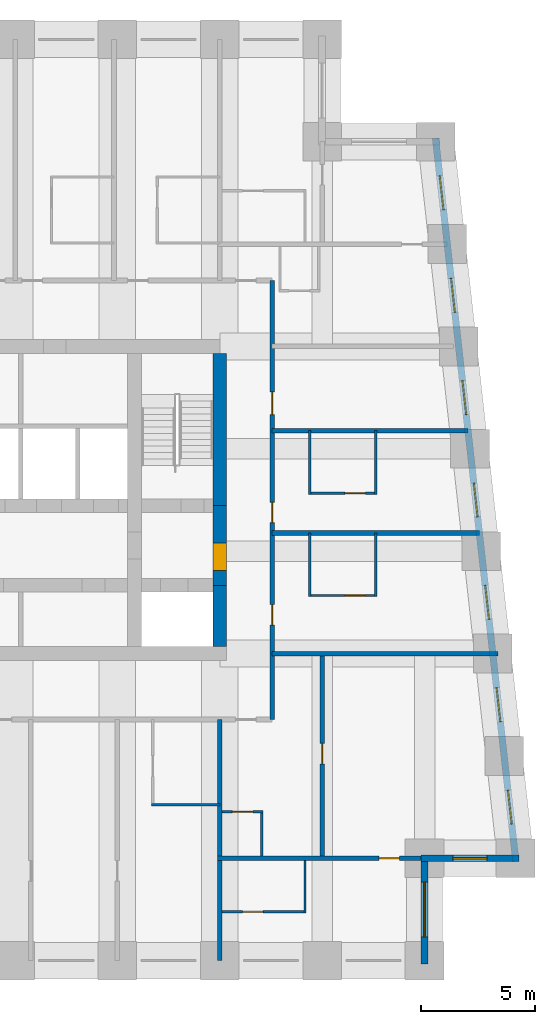
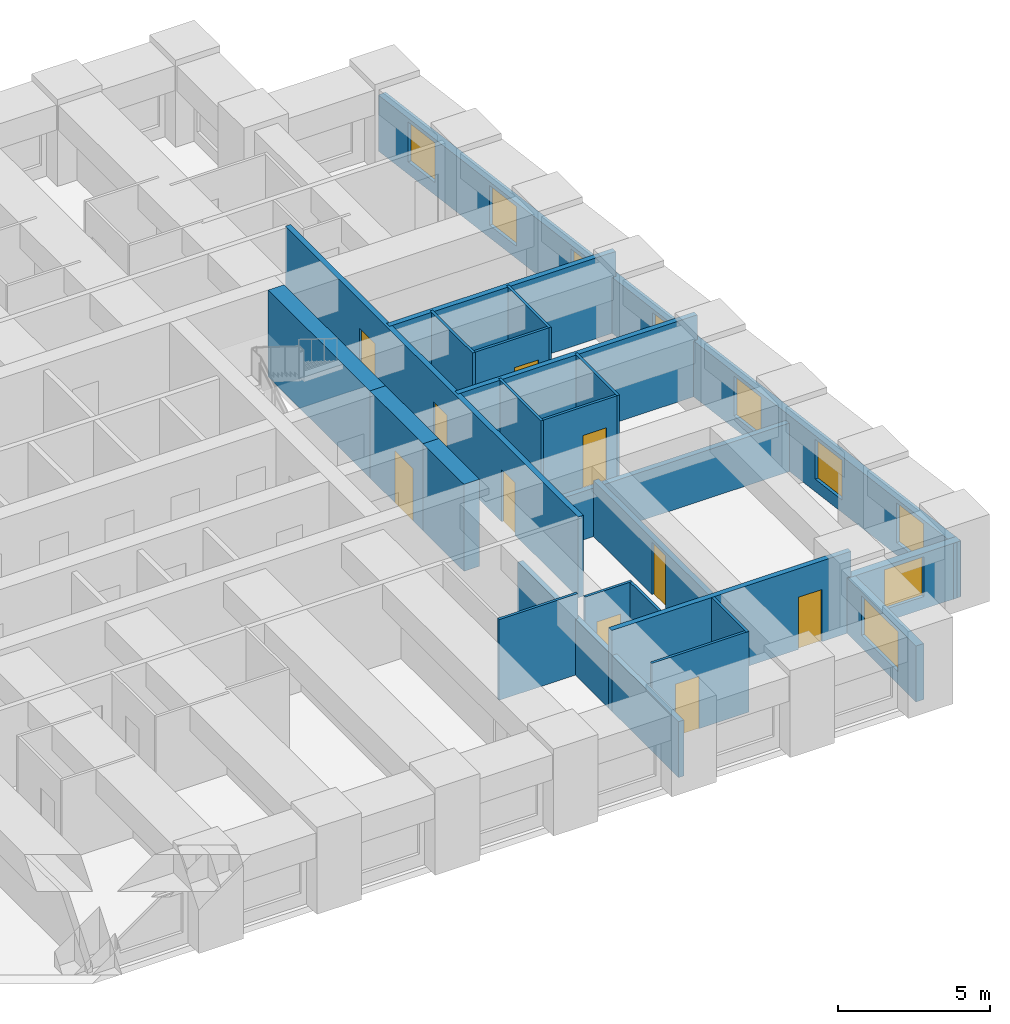
# One storey, part 5 of 8: 24 walls, 10 doors, 9 windows, 19 openings.
"""IFC4 building model written with IfcOpenShell, lengths in metres."""

from ifc_helpers import new_model, si_unit, direction, frame, frame_2d, origin, place, context, subcontext, project, spatial, rectangle, extrude, material, layer, layer_set, type_object, element, fill, save


model = new_model("IFC4")

# Units and contexts
model_context = context("Model", 3, precision=1e-05, world=origin(), true_north=direction((0.0, 1.0)))
body_context = subcontext(model_context, "Body", "Model", "MODEL_VIEW")
ifc_project = project(units=[si_unit("LENGTHUNIT", "METRE"), si_unit("AREAUNIT", "SQUARE_METRE"), si_unit("VOLUMEUNIT", "CUBIC_METRE"), si_unit("PLANEANGLEUNIT", "RADIAN"), si_unit("MASSUNIT", "GRAM", prefix="KILO")], contexts=[model_context])

# Site, building, storey
site_placement = place(None, origin())
site = spatial("IfcSite", under=ifc_project, at=site_placement, CompositionType="ELEMENT")
building_placement = place(site_placement, origin())
building = spatial("IfcBuilding", under=site, at=building_placement, Name="Kilele Tower Hotel", CompositionType="ELEMENT")
storey_placement = place(building_placement, frame((0.0, 0.0, 186.89990234375)))
storey = spatial("IfcBuildingStorey", under=building, at=storey_placement, Name="L48", CompositionType="ELEMENT", Elevation=186.89990234375)

# Walls
ifc_material_1 = material(Name="Moisture-resistant board")
ifc_layer_1 = layer(ifc_material_1, 0.10009765625)
ifc_layer_set_1 = layer_set([ifc_layer_1], Name="Moisture-resistant board")
wall_type_1 = type_object("IfcWallType", Name="Bathroom partition 100", PredefinedType="PLUMBINGWALL", material=ifc_layer_set_1)
wall_1_placement = place(storey_placement, frame((33.0, 6.85009765625, 0.0), z_axis=(0.0, 0.0, 1.0), x_axis=(1.0, 0.0, 0.0)))
element("IfcWall", 1, at=wall_1_placement, inside=storey, type_object=wall_type_1, Name="Bathroom partition 100 L48", PredefinedType="PLUMBINGWALL", context=body_context, shape_type="SweptSolid", body=[
    extrude(rectangle(XDim=3.0, YDim=0.10009765625, at=frame_2d((1.5, 0.0))), origin(), (0.0, 0.0, 1.0), 3.25),
])
for number, where, z_axis, x_axis, name in (
    (2, (39.949951171875, 16.0, 0.0), (0.0, 0.0, 1.0), (0.0, 1.0, 0.0), "Bathroom partition 100 L48"),
    (3, (42.85009765625, 16.0, 0.0), (0.0, 0.0, 1.0), (0.0, 1.0, 0.0), "Bathroom partition 100 L48"),
):
    element("IfcWall", number, at=place(storey_placement, frame(where, z_axis=z_axis, x_axis=x_axis)), inside=storey, type_object=wall_type_1, Name=name, PredefinedType="PLUMBINGWALL", context=body_context, shape_type="SweptSolid", body=[
        extrude(rectangle(XDim=2.800048828125, YDim=0.10009765625, at=frame_2d((1.39990234375, 0.0))), origin(), (0.0, 0.0, 1.0), 3.25),
    ])

# Wall, opening, door
wall_2_placement = place(storey_placement, frame((39.89990234375, 16.050048828125, 0.0), z_axis=(0.0, 0.0, 1.0), x_axis=(1.0, 0.0, 0.0)))
wall_2 = element("IfcWall", 4, at=wall_2_placement, inside=storey, type_object=wall_type_1, Name="Bathroom partition 100 L48", PredefinedType="PLUMBINGWALL", context=body_context, shape_type="SweptSolid", body=[
    extrude(rectangle(XDim=3.0, YDim=0.10009765625, at=frame_2d((1.5, 0.0))), origin(), (0.0, 0.0, 1.0), 3.25),
])
opening_1_placement = place(wall_2_placement, frame((2.5, 0.0, 0.0), z_axis=(0.0, 0.0, 1.0), x_axis=(-1.0, 0.0, 0.0)))
opening_1 = element("IfcOpeningElement", 5, at=opening_1_placement, cuts=wall_2, Name="Opening D2A", PredefinedType="OPENING", context=body_context, shape_type="SweptSolid", body=[
    extrude(rectangle(XDim=0.89990234375, YDim=2.10009765625, at=frame_2d((0.449951171875, 1.050048828125))), frame((0.0, 0.06005859375, 0.0), z_axis=(0.0, -1.0, 0.0), x_axis=(1.0, 0.0, 0.0)), (0.0, 0.0, 1.0), 0.1201171875),
])
ifc_material_2 = material(Name="Timber door leaf in hardwood frame", Category="wood")
door_type_1 = type_object("IfcDoorType", Name="Bathroom door 900", OperationType="SINGLE_SWING_LEFT", PredefinedType="DOOR", material=ifc_material_2)
door_1_placement = place(opening_1_placement, origin())
door_1 = element("IfcDoor", 6, at=door_1_placement, inside=storey, type_object=door_type_1, Name="Bathroom door 4806B", OperationType="SINGLE_SWING_LEFT", OverallHeight=2.10009765625, OverallWidth=0.89990234375, PredefinedType="DOOR", context=body_context, shape_type="SweptSolid", body=[
    extrude(rectangle(XDim=0.89990234375, YDim=2.10009765625, at=frame_2d((0.449951171875, 1.050048828125))), frame((0.0, 0.02490234375, 0.0), z_axis=(0.0, -1.0, 0.0), x_axis=(1.0, 0.0, 0.0)), (0.0, 0.0, 1.0), 0.050048828125),
])
fill(opening_1, door_1)

# Walls
for number, where, z_axis, x_axis, name in (
    (7, (39.949951171875, 20.5, 0.0), (0.0, 0.0, 1.0), (0.0, 1.0, 0.0), "Bathroom partition 100 L48"),
    (8, (42.85009765625, 20.5, 0.0), (0.0, 0.0, 1.0), (0.0, 1.0, 0.0), "Bathroom partition 100 L48"),
):
    element("IfcWall", number, at=place(storey_placement, frame(where, z_axis=z_axis, x_axis=x_axis)), inside=storey, type_object=wall_type_1, Name=name, PredefinedType="PLUMBINGWALL", context=body_context, shape_type="SweptSolid", body=[
        extrude(rectangle(XDim=2.800048828125, YDim=0.10009765625, at=frame_2d((1.39990234375, 0.0))), origin(), (0.0, 0.0, 1.0), 3.25),
    ])

# Wall, opening, door
wall_3_placement = place(storey_placement, frame((39.89990234375, 20.550048828125, 0.0), z_axis=(0.0, 0.0, 1.0), x_axis=(1.0, 0.0, 0.0)))
wall_3 = element("IfcWall", 9, at=wall_3_placement, inside=storey, type_object=wall_type_1, Name="Bathroom partition 100 L48", PredefinedType="PLUMBINGWALL", context=body_context, shape_type="SweptSolid", body=[
    extrude(rectangle(XDim=3.0, YDim=0.10009765625, at=frame_2d((1.5, 0.0))), origin(), (0.0, 0.0, 1.0), 3.25),
])
opening_2_placement = place(wall_3_placement, frame((2.5, 0.0, 0.0), z_axis=(0.0, 0.0, 1.0), x_axis=(-1.0, 0.0, 0.0)))
opening_2 = element("IfcOpeningElement", 10, at=opening_2_placement, cuts=wall_3, Name="Opening D2A", PredefinedType="OPENING", context=body_context, shape_type="SweptSolid", body=[
    extrude(rectangle(XDim=0.89990234375, YDim=2.10009765625, at=frame_2d((0.449951171875, 1.050048828125))), frame((0.0, 0.06005859375, 0.0), z_axis=(0.0, -1.0, 0.0), x_axis=(1.0, 0.0, 0.0)), (0.0, 0.0, 1.0), 0.1201171875),
])
door_2_placement = place(opening_2_placement, origin())
door_2 = element("IfcDoor", 11, at=door_2_placement, inside=storey, type_object=door_type_1, Name="Bathroom door 4807B", OperationType="SINGLE_SWING_LEFT", OverallHeight=2.10009765625, OverallWidth=0.89990234375, PredefinedType="DOOR", context=body_context, shape_type="SweptSolid", body=[
    extrude(rectangle(XDim=0.89990234375, YDim=2.10009765625, at=frame_2d((0.449951171875, 1.050048828125))), frame((0.0, 0.02490234375, 0.0), z_axis=(0.0, -1.0, 0.0), x_axis=(1.0, 0.0, 0.0)), (0.0, 0.0, 1.0), 0.050048828125),
])
fill(opening_2, door_2)

# Wall
wall_4_placement = place(storey_placement, frame((37.85009765625, 4.60009765625, 0.0), z_axis=(0.0, 0.0, 1.0), x_axis=(0.0, 1.0, 0.0)))
element("IfcWall", 12, at=wall_4_placement, inside=storey, type_object=wall_type_1, Name="Bathroom partition 100 L48", PredefinedType="PLUMBINGWALL", context=body_context, shape_type="SweptSolid", body=[
    extrude(rectangle(XDim=2.0, YDim=0.10009765625, at=frame_2d((1.0, 0.0))), origin(), (0.0, 0.0, 1.0), 3.25),
])

# Wall, opening, door
wall_5_placement = place(storey_placement, frame((36.10009765625, 6.550048828125, 0.0), z_axis=(0.0, 0.0, 1.0), x_axis=(1.0, 0.0, 0.0)))
wall_5 = element("IfcWall", 13, at=wall_5_placement, inside=storey, type_object=wall_type_1, Name="Bathroom partition 100 L48", PredefinedType="PLUMBINGWALL", context=body_context, shape_type="SweptSolid", body=[
    extrude(rectangle(XDim=1.7998046875, YDim=0.10009765625, at=frame_2d((0.89990234375, 0.0))), origin(), (0.0, 0.0, 1.0), 3.25),
])
opening_3_placement = place(wall_5_placement, frame((0.449951171875, 0.0, 0.0)))
opening_3 = element("IfcOpeningElement", 14, at=opening_3_placement, cuts=wall_5, Name="Opening D2A", PredefinedType="OPENING", context=body_context, shape_type="SweptSolid", body=[
    extrude(rectangle(XDim=0.89990234375, YDim=2.10009765625, at=frame_2d((0.449951171875, 1.050048828125))), frame((0.0, 0.06005859375, 0.0), z_axis=(0.0, -1.0, 0.0), x_axis=(1.0, 0.0, 0.0)), (0.0, 0.0, 1.0), 0.1201171875),
])
door_3_placement = place(opening_3_placement, origin())
door_3 = element("IfcDoor", 15, at=door_3_placement, inside=storey, type_object=door_type_1, Name="Bathroom door 4819P", OperationType="SINGLE_SWING_LEFT", OverallHeight=2.10009765625, OverallWidth=0.89990234375, PredefinedType="DOOR", context=body_context, shape_type="SweptSolid", body=[
    extrude(rectangle(XDim=0.89990234375, YDim=2.10009765625, at=frame_2d((0.449951171875, 1.050048828125))), frame((0.0, 0.02490234375, 0.0), z_axis=(0.0, -1.0, 0.0), x_axis=(1.0, 0.0, 0.0)), (0.0, 0.0, 1.0), 0.050048828125),
])
fill(opening_3, door_3)

# Wall
wall_6_placement = place(storey_placement, frame((39.75, 4.39990234375, 0.0), z_axis=(0.0, 0.0, 1.0), x_axis=(0.0, -1.0, 0.0)))
element("IfcWall", 16, at=wall_6_placement, inside=storey, type_object=wall_type_1, Name="Bathroom partition 100 L48", PredefinedType="PLUMBINGWALL", context=body_context, shape_type="SweptSolid", body=[
    extrude(rectangle(XDim=2.2998046875, YDim=0.10009765625, at=frame_2d((1.14990234375, 0.0))), origin(), (0.0, 0.0, 1.0), 3.25),
])

# Wall, opening, door
wall_7_placement = place(storey_placement, frame((36.10009765625, 2.14990234375, 0.0), z_axis=(0.0, 0.0, 1.0), x_axis=(1.0, 0.0, 0.0)))
wall_7 = element("IfcWall", 17, at=wall_7_placement, inside=storey, type_object=wall_type_1, Name="Bathroom partition 100 L48", PredefinedType="PLUMBINGWALL", context=body_context, shape_type="SweptSolid", body=[
    extrude(rectangle(XDim=3.699951171875, YDim=0.10009765625, at=frame_2d((1.85009765625, 0.0))), origin(), (0.0, 0.0, 1.0), 3.25),
])
opening_4_placement = place(wall_7_placement, frame((1.7998046875, 0.0, 0.0), z_axis=(0.0, 0.0, 1.0), x_axis=(-1.0, 0.0, 0.0)))
opening_4 = element("IfcOpeningElement", 18, at=opening_4_placement, cuts=wall_7, Name="Opening D2A", PredefinedType="OPENING", context=body_context, shape_type="SweptSolid", body=[
    extrude(rectangle(XDim=0.89990234375, YDim=2.10009765625, at=frame_2d((0.449951171875, 1.050048828125))), frame((0.0, 0.06005859375, 0.0), z_axis=(0.0, -1.0, 0.0), x_axis=(1.0, 0.0, 0.0)), (0.0, 0.0, 1.0), 0.1201171875),
])
door_4_placement = place(opening_4_placement, origin())
door_4 = element("IfcDoor", 19, at=door_4_placement, inside=storey, type_object=door_type_1, Name="Bathroom door 4821B", OperationType="SINGLE_SWING_RIGHT", OverallHeight=2.10009765625, OverallWidth=0.89990234375, PredefinedType="DOOR", context=body_context, shape_type="SweptSolid", body=[
    extrude(rectangle(XDim=0.89990234375, YDim=2.10009765625, at=frame_2d((0.449951171875, 1.050048828125))), frame((0.0, 0.02490234375, 0.0), z_axis=(0.0, -1.0, 0.0), x_axis=(1.0, 0.0, 0.0)), (0.0, 0.0, 1.0), 0.050048828125),
])
fill(opening_4, door_4)

# Wall
ifc_material_3 = material(Name="Concrete C70/85", Category="concrete")
ifc_layer_2 = layer(ifc_material_3, 0.60009765625)
ifc_layer_set_2 = layer_set([ifc_layer_2], Name="Concrete C70/85")
wall_type_2 = type_object("IfcWallType", Name="Core wall 600 C70/85", PredefinedType="SHEAR", material=ifc_layer_set_2)
wall_8_placement = place(storey_placement, frame((36.0, 13.800048828125, 0.0), z_axis=(0.0, 0.0, 1.0), x_axis=(0.0, 1.0, 0.0)))
element("IfcWall", 20, at=wall_8_placement, inside=storey, type_object=wall_type_2, Name="Core wall E1 L48", PredefinedType="SHEAR", context=body_context, shape_type="SweptSolid", body=[
    extrude(rectangle(XDim=2.699951171875, YDim=0.60009765625, at=frame_2d((1.35009765625, 0.0))), origin(), (0.0, 0.0, 1.0), 3.5),
])

# Wall, opening, door
wall_9_placement = place(storey_placement, frame((36.0, 16.5, 0.0), z_axis=(0.0, 0.0, 1.0), x_axis=(0.0, 1.0, 0.0)))
wall_9 = element("IfcWall", 21, at=wall_9_placement, inside=storey, type_object=wall_type_2, Name="Core wall E2 L48", PredefinedType="SHEAR", context=body_context, shape_type="SweptSolid", body=[
    extrude(rectangle(XDim=3.5, YDim=0.60009765625, at=frame_2d((1.75, 0.0))), origin(), (0.0, 0.0, 1.0), 3.5),
])
opening_5_placement = place(wall_9_placement, frame((0.64990234375, 0.0, 0.0)))
opening_5 = element("IfcOpeningElement", 22, at=opening_5_placement, cuts=wall_9, Name="Opening D4", PredefinedType="OPENING", context=body_context, shape_type="SweptSolid", body=[
    extrude(rectangle(XDim=1.199951171875, YDim=2.10009765625, at=frame_2d((0.60009765625, 1.050048828125))), frame((0.0, 0.31005859375, 0.0), z_axis=(0.0, -1.0, 0.0), x_axis=(1.0, 0.0, 0.0)), (0.0, 0.0, 1.0), 0.6201171875),
])
ifc_material_4 = material(Name="Timber door leaf in hardwood frame", Category="wood")
door_type_2 = type_object("IfcDoorType", Name="Firefighting lobby door 1200", OperationType="SINGLE_SWING_LEFT", PredefinedType="DOOR", material=ifc_material_4)
door_5_placement = place(opening_5_placement, origin())
door_5 = element("IfcDoor", 23, at=door_5_placement, inside=storey, type_object=door_type_2, Name="Lobby door L48", OperationType="SINGLE_SWING_LEFT", OverallHeight=2.10009765625, OverallWidth=1.199951171875, PredefinedType="DOOR", context=body_context, shape_type="SweptSolid", body=[
    extrude(rectangle(XDim=1.199951171875, YDim=2.10009765625, at=frame_2d((0.60009765625, 1.050048828125))), frame((0.0, 0.2998046875, 0.0), z_axis=(0.0, -1.0, 0.0), x_axis=(1.0, 0.0, 0.0)), (0.0, 0.0, 1.0), 0.599609375),
])
fill(opening_5, door_5)

# Wall
wall_10_placement = place(storey_placement, frame((36.0, 20.0, 0.0), z_axis=(0.0, 0.0, 1.0), x_axis=(0.0, 1.0, 0.0)))
element("IfcWall", 24, at=wall_10_placement, inside=storey, type_object=wall_type_2, Name="Core wall E3 L48", PredefinedType="SHEAR", context=body_context, shape_type="SweptSolid", body=[
    extrude(rectangle(XDim=6.699951171875, YDim=0.60009765625, at=frame_2d((3.35009765625, 0.0))), origin(), (0.0, 0.0, 1.0), 3.5),
])

# Wall, openings, doors
ifc_material_5 = material(Name="Blockwork, plastered both sides", Category="masonry")
ifc_layer_3 = layer(ifc_material_5, 0.199951171875)
ifc_layer_set_3 = layer_set([ifc_layer_3], Name="Blockwork, plastered both sides")
wall_type_3 = type_object("IfcWallType", Name="Corridor wall 200", PredefinedType="PARTITIONING", material=ifc_layer_set_3)
wall_11_placement = place(storey_placement, frame((38.300048828125, 10.60009765625, 0.0), z_axis=(0.0, 0.0, 1.0), x_axis=(0.0, 1.0, 0.0)))
wall_11 = element("IfcWall", 25, at=wall_11_placement, inside=storey, type_object=wall_type_3, Name="Corridor wall 200 L48", PredefinedType="PARTITIONING", context=body_context, shape_type="SweptSolid", body=[
    extrude(rectangle(XDim=19.2998046875, YDim=0.199951171875, at=frame_2d((9.64990234375, 0.0))), origin(), (0.0, 0.0, 1.0), 3.25),
])
opening_6_placement = place(wall_11_placement, frame((5.0498046875, 0.0, 0.0), z_axis=(0.0, 0.0, 1.0), x_axis=(-1.0, 0.0, 0.0)))
opening_6 = element("IfcOpeningElement", 26, at=opening_6_placement, cuts=wall_11, Name="Opening D1", PredefinedType="OPENING", context=body_context, shape_type="SweptSolid", body=[
    extrude(rectangle(XDim=0.89990234375, YDim=2.10009765625, at=frame_2d((0.449951171875, 1.050048828125))), frame((0.0, 0.10986328125, 0.0), z_axis=(0.0, -1.0, 0.0), x_axis=(1.0, 0.0, 0.0)), (0.0, 0.0, 1.0), 0.219970703125),
])
opening_7_placement = place(wall_11_placement, frame((9.5498046875, 0.0, 0.0), z_axis=(0.0, 0.0, 1.0), x_axis=(-1.0, 0.0, 0.0)))
opening_7 = element("IfcOpeningElement", 27, at=opening_7_placement, cuts=wall_11, Name="Opening D1", PredefinedType="OPENING", context=body_context, shape_type="SweptSolid", body=[
    extrude(rectangle(XDim=0.89990234375, YDim=2.10009765625, at=frame_2d((0.449951171875, 1.050048828125))), frame((0.0, 0.10986328125, 0.0), z_axis=(0.0, -1.0, 0.0), x_axis=(1.0, 0.0, 0.0)), (0.0, 0.0, 1.0), 0.219970703125),
])
opening_8_placement = place(wall_11_placement, frame((14.39990234375, 0.0, 0.0), z_axis=(0.0, 0.0, 1.0), x_axis=(-1.0, 0.0, 0.0)))
opening_8 = element("IfcOpeningElement", 28, at=opening_8_placement, cuts=wall_11, Name="Opening D8", PredefinedType="OPENING", context=body_context, shape_type="SweptSolid", body=[
    extrude(rectangle(XDim=1.0, YDim=2.10009765625, at=frame_2d((0.5, 1.050048828125))), frame((0.0, 0.10986328125, 0.0), z_axis=(0.0, -1.0, 0.0), x_axis=(1.0, 0.0, 0.0)), (0.0, 0.0, 1.0), 0.219970703125),
])
ifc_material_6 = material(Name="Timber door leaf in hardwood frame", Category="wood")
door_type_3 = type_object("IfcDoorType", Name="Door 1000", OperationType="SINGLE_SWING_LEFT", PredefinedType="DOOR", material=ifc_material_6)
door_6_placement = place(opening_8_placement, origin())
door_6 = element("IfcDoor", 29, at=door_6_placement, inside=storey, type_object=door_type_3, Name="Room entrance 4808", OperationType="SINGLE_SWING_RIGHT", OverallHeight=2.10009765625, OverallWidth=1.0, PredefinedType="DOOR", context=body_context, shape_type="SweptSolid", body=[
    extrude(rectangle(XDim=1.0, YDim=2.10009765625, at=frame_2d((0.5, 1.050048828125))), frame((0.0, 0.02490234375, 0.0), z_axis=(0.0, -1.0, 0.0), x_axis=(1.0, 0.0, 0.0)), (0.0, 0.0, 1.0), 0.050048828125),
])
fill(opening_8, door_6)
ifc_material_7 = material(Name="Timber door leaf in hardwood frame", Category="wood")
door_type_4 = type_object("IfcDoorType", Name="Guest room entrance door 900", OperationType="SINGLE_SWING_LEFT", PredefinedType="DOOR", material=ifc_material_7)
door_7_placement = place(opening_6_placement, origin())
door_7 = element("IfcDoor", 30, at=door_7_placement, inside=storey, type_object=door_type_4, Name="Room entrance 4806", OperationType="SINGLE_SWING_RIGHT", OverallHeight=2.10009765625, OverallWidth=0.89990234375, PredefinedType="DOOR", context=body_context, shape_type="SweptSolid", body=[
    extrude(rectangle(XDim=0.89990234375, YDim=2.10009765625, at=frame_2d((0.449951171875, 1.050048828125))), frame((0.0, 0.02490234375, 0.0), z_axis=(0.0, -1.0, 0.0), x_axis=(1.0, 0.0, 0.0)), (0.0, 0.0, 1.0), 0.050048828125),
])
fill(opening_6, door_7)
door_8_placement = place(opening_7_placement, origin())
door_8 = element("IfcDoor", 31, at=door_8_placement, inside=storey, type_object=door_type_4, Name="Room entrance 4807", OperationType="SINGLE_SWING_RIGHT", OverallHeight=2.10009765625, OverallWidth=0.89990234375, PredefinedType="DOOR", context=body_context, shape_type="SweptSolid", body=[
    extrude(rectangle(XDim=0.89990234375, YDim=2.10009765625, at=frame_2d((0.449951171875, 1.050048828125))), frame((0.0, 0.02490234375, 0.0), z_axis=(0.0, -1.0, 0.0), x_axis=(1.0, 0.0, 0.0)), (0.0, 0.0, 1.0), 0.050048828125),
])
fill(opening_7, door_8)

# Wall, opening, door
ifc_material_8 = material(Name="Blockwork, plastered both sides", Category="masonry")
ifc_layer_4 = layer(ifc_material_8, 0.199951171875)
ifc_layer_set_4 = layer_set([ifc_layer_4], Name="Blockwork, plastered both sides")
wall_type_4 = type_object("IfcWallType", Name="Partition wall 200", PredefinedType="PARTITIONING", material=ifc_layer_set_4)
wall_12_placement = place(storey_placement, frame((40.5, 4.60009765625, 0.0), z_axis=(0.0, 0.0, 1.0), x_axis=(0.0, 1.0, 0.0)))
wall_12 = element("IfcWall", 32, at=wall_12_placement, inside=storey, type_object=wall_type_4, Name="Partition wall 200 L48", PredefinedType="PARTITIONING", context=body_context, shape_type="SweptSolid", body=[
    extrude(rectangle(XDim=8.7998046875, YDim=0.199951171875, at=frame_2d((4.39990234375, 0.0))), origin(), (0.0, 0.0, 1.0), 2.25),
])
opening_9_placement = place(wall_12_placement, frame((4.050048828125, 0.0, 0.0)))
opening_9 = element("IfcOpeningElement", 33, at=opening_9_placement, cuts=wall_12, Name="Opening D3", PredefinedType="OPENING", context=body_context, shape_type="SweptSolid", body=[
    extrude(rectangle(XDim=0.89990234375, YDim=2.10009765625, at=frame_2d((0.449951171875, 1.050048828125))), frame((0.0, 0.10986328125, 0.0), z_axis=(0.0, -1.0, 0.0), x_axis=(1.0, 0.0, 0.0)), (0.0, 0.0, 1.0), 0.219970703125),
])
ifc_material_9 = material(Name="Timber door leaf in hardwood frame", Category="wood")
door_type_5 = type_object("IfcDoorType", Name="Suite internal door 900", OperationType="SINGLE_SWING_LEFT", PredefinedType="DOOR", material=ifc_material_9)
door_9_placement = place(opening_9_placement, origin())
door_9 = element("IfcDoor", 34, at=door_9_placement, inside=storey, type_object=door_type_5, Name="Suite door 4820", OperationType="SINGLE_SWING_RIGHT", OverallHeight=2.10009765625, OverallWidth=0.89990234375, PredefinedType="DOOR", context=body_context, shape_type="SweptSolid", body=[
    extrude(rectangle(XDim=0.89990234375, YDim=2.10009765625, at=frame_2d((0.449951171875, 1.050048828125))), frame((0.0, 0.02490234375, 0.0), z_axis=(0.0, -1.0, 0.0), x_axis=(1.0, 0.0, 0.0)), (0.0, 0.0, 1.0), 0.050048828125),
])
fill(opening_9, door_9)

# Walls
ifc_material_10 = material(Name="Blockwork, plastered both sides", Category="masonry")
ifc_layer_5 = layer(ifc_material_10, 0.199951171875)
ifc_layer_set_5 = layer_set([ifc_layer_5], Name="Blockwork, plastered both sides")
wall_type_5 = type_object("IfcWallType", Name="Party wall 200", PredefinedType="PARTITIONING", material=ifc_layer_set_5)
wall_13_placement = place(storey_placement, frame((38.300048828125, 18.800048828125, 0.0), z_axis=(0.0, 0.0, 1.0), x_axis=(1.0, 0.0, 0.0)))
element("IfcWall", 35, at=wall_13_placement, inside=storey, type_object=wall_type_5, Name="Party wall 200 L48", PredefinedType="PARTITIONING", context=body_context, shape_type="SweptSolid", body=[
    extrude(rectangle(XDim=9.110107421875, YDim=0.199951171875, at=frame_2d((4.55517578125, 0.0))), origin(), (0.0, 0.0, 1.0), 3.25),
])
wall_14_placement = place(storey_placement, frame((38.300048828125, 23.300048828125, 0.0), z_axis=(0.0, 0.0, 1.0), x_axis=(1.0, 0.0, 0.0)))
element("IfcWall", 36, at=wall_14_placement, inside=storey, type_object=wall_type_5, Name="Party wall 200 L48", PredefinedType="PARTITIONING", context=body_context, shape_type="SweptSolid", body=[
    extrude(rectangle(XDim=8.610107421875, YDim=0.199951171875, at=frame_2d((4.30517578125, 0.0))), origin(), (0.0, 0.0, 1.0), 3.25),
])
wall_15_placement = place(storey_placement, frame((38.300048828125, 13.5, 0.0), z_axis=(0.0, 0.0, 1.0), x_axis=(1.0, 0.0, 0.0)))
element("IfcWall", 37, at=wall_15_placement, inside=storey, type_object=wall_type_5, Name="Party wall 200 L48", PredefinedType="PARTITIONING", context=body_context, shape_type="SweptSolid", body=[
    extrude(rectangle(XDim=9.921142578125, YDim=0.199951171875, at=frame_2d((4.96044921875, 0.0))), origin(), (0.0, 0.0, 1.0), 1.9501953125),
])
wall_16_placement = place(storey_placement, frame((36.0, 10.60009765625, 0.0), z_axis=(0.0, 0.0, 1.0), x_axis=(0.0, -1.0, 0.0)))
element("IfcWall", 38, at=wall_16_placement, inside=storey, type_object=wall_type_5, Name="Party wall 200 L48", PredefinedType="PARTITIONING", context=body_context, shape_type="SweptSolid", body=[
    extrude(rectangle(XDim=10.60009765625, YDim=0.199951171875, at=frame_2d((5.300048828125, 0.0))), origin(), (0.0, 0.0, 1.0), 2.25),
])

# Wall, opening, door
wall_17_placement = place(storey_placement, frame((35.89990234375, 4.5, 0.0), z_axis=(0.0, 0.0, 1.0), x_axis=(1.0, 0.0, 0.0)))
wall_17 = element("IfcWall", 39, at=wall_17_placement, inside=storey, type_object=wall_type_5, Name="Party wall 200 L48", PredefinedType="PARTITIONING", context=body_context, shape_type="SweptSolid", body=[
    extrude(rectangle(XDim=9.10009765625, YDim=0.199951171875, at=frame_2d((4.550048828125, 0.0))), origin(), (0.0, 0.0, 1.0), 3.25),
])
opening_10_placement = place(wall_17_placement, frame((7.10009765625, 0.0, 0.0)))
opening_10 = element("IfcOpeningElement", 40, at=opening_10_placement, cuts=wall_17, Name="Opening D3", PredefinedType="OPENING", context=body_context, shape_type="SweptSolid", body=[
    extrude(rectangle(XDim=0.89990234375, YDim=2.10009765625, at=frame_2d((0.449951171875, 1.050048828125))), frame((0.0, 0.10986328125, 0.0), z_axis=(0.0, -1.0, 0.0), x_axis=(1.0, 0.0, 0.0)), (0.0, 0.0, 1.0), 0.219970703125),
])
door_10_placement = place(opening_10_placement, origin())
door_10 = element("IfcDoor", 41, at=door_10_placement, inside=storey, type_object=door_type_5, Name="Suite door 4821", OperationType="SINGLE_SWING_RIGHT", OverallHeight=2.10009765625, OverallWidth=0.89990234375, PredefinedType="DOOR", context=body_context, shape_type="SweptSolid", body=[
    extrude(rectangle(XDim=0.89990234375, YDim=2.10009765625, at=frame_2d((0.449951171875, 1.050048828125))), frame((0.0, 0.02490234375, 0.0), z_axis=(0.0, -1.0, 0.0), x_axis=(1.0, 0.0, 0.0)), (0.0, 0.0, 1.0), 0.050048828125),
])
fill(opening_10, door_10)

# Wall, opening, window
ifc_material_11 = material(Name="Concrete C40/50 precast", Category="concrete")
ifc_layer_6 = layer(ifc_material_11, 0.260009765625, Name="Precast backing", Category="LoadBearing")
ifc_material_12 = material(Name="Reconstituted stone finish", Category="masonry")
ifc_layer_7 = layer(ifc_material_12, 0.0400390625, Name="Face mix", Category="Finish")
ifc_layer_set_6 = layer_set([ifc_layer_6, ifc_layer_7], Name="Precast concrete C40/50, reconstituted stone finish")
wall_type_6 = type_object("IfcWallType", Name="Precast stone facade wall 300", PredefinedType="STANDARD", material=ifc_layer_set_6)
wall_18_placement = place(storey_placement, frame((45.0, -0.14990234375, 0.0), z_axis=(0.0, 0.0, 1.0), x_axis=(0.0, 1.0, 0.0)))
wall_18 = element("IfcWall", 42, at=wall_18_placement, inside=storey, type_object=wall_type_6, Name="Facade wall L48 edge 4", PredefinedType="STANDARD", context=body_context, shape_type="SweptSolid", body=[
    extrude(rectangle(XDim=4.7998046875, YDim=0.300048828125, at=frame_2d((2.39990234375, 0.0))), origin(), (0.0, 0.0, 1.0), 2.25),
])
opening_11_placement = place(wall_18_placement, frame((1.199951171875, 0.0, 0.5)))
opening_11 = element("IfcOpeningElement", 43, at=opening_11_placement, cuts=wall_18, Name="Opening W3", PredefinedType="OPENING", context=body_context, shape_type="SweptSolid", body=[
    extrude(rectangle(XDim=2.39990234375, YDim=1.60009765625, at=frame_2d((1.199951171875, 0.800048828125))), frame((0.0, 0.159912109375, 0.0), z_axis=(0.0, -1.0, 0.0), x_axis=(1.0, 0.0, 0.0)), (0.0, 0.0, 1.0), 0.320068359375),
])
ifc_material_13 = material(Name="Aluminium frame, clear double glazing", Category="aluminium")
window_type_1 = type_object("IfcWindowType", Name="Window W3 2400 x 1600", PartitioningType="SINGLE_PANEL", PredefinedType="WINDOW", material=ifc_material_13)
window_1_placement = place(opening_11_placement, origin())
window_1 = element("IfcWindow", 44, at=window_1_placement, inside=storey, type_object=window_type_1, Name="Window L48", OverallHeight=1.60009765625, OverallWidth=2.39990234375, PartitioningType="SINGLE_PANEL", PredefinedType="WINDOW", context=body_context, shape_type="SweptSolid", body=[
    extrude(rectangle(XDim=2.39990234375, YDim=1.60009765625, at=frame_2d((1.199951171875, 0.800048828125))), frame((0.0, 0.030029296875, 0.0), z_axis=(0.0, -1.0, 0.0), x_axis=(1.0, 0.0, 0.0)), (0.0, 0.0, 1.0), 0.06005859375),
])
fill(opening_11, window_1)

wall_19_placement = place(storey_placement, frame((44.85009765625, 4.5, 0.0), z_axis=(0.0, 0.0, 1.0), x_axis=(1.0, 0.0, 0.0)))
wall_19 = element("IfcWall", 45, at=wall_19_placement, inside=storey, type_object=wall_type_6, Name="Facade wall L48 edge 5", PredefinedType="STANDARD", context=body_context, shape_type="SweptSolid", body=[
    extrude(rectangle(XDim=4.2998046875, YDim=0.300048828125, at=frame_2d((2.14990234375, 0.0))), origin(), (0.0, 0.0, 1.0), 2.25),
])
opening_12_placement = place(wall_19_placement, frame((1.39990234375, 0.0, 0.5)))
opening_12 = element("IfcOpeningElement", 46, at=opening_12_placement, cuts=wall_19, Name="Opening W3", PredefinedType="OPENING", context=body_context, shape_type="SweptSolid", body=[
    extrude(rectangle(XDim=1.5, YDim=1.60009765625, at=frame_2d((0.75, 0.800048828125))), frame((0.0, 0.159912109375, 0.0), z_axis=(0.0, -1.0, 0.0), x_axis=(1.0, 0.0, 0.0)), (0.0, 0.0, 1.0), 0.320068359375),
])
ifc_material_14 = material(Name="Aluminium frame, clear double glazing", Category="aluminium")
window_type_2 = type_object("IfcWindowType", Name="Window W3 1500 x 1600", PartitioningType="SINGLE_PANEL", PredefinedType="WINDOW", material=ifc_material_14)
window_2_placement = place(opening_12_placement, origin())
window_2 = element("IfcWindow", 47, at=window_2_placement, inside=storey, type_object=window_type_2, Name="Window L48", OverallHeight=1.60009765625, OverallWidth=1.5, PartitioningType="SINGLE_PANEL", PredefinedType="WINDOW", context=body_context, shape_type="SweptSolid", body=[
    extrude(rectangle(XDim=1.5, YDim=1.60009765625, at=frame_2d((0.75, 0.800048828125))), frame((0.0, 0.030029296875, 0.0), z_axis=(0.0, -1.0, 0.0), x_axis=(1.0, 0.0, 0.0)), (0.0, 0.0, 1.0), 0.06005859375),
])
fill(opening_12, window_2)

# Wall, openings, windows
wall_20_placement = place(storey_placement, frame((49.0166015625, 4.350830078125, 0.0), z_axis=(0.0, 0.0, 1.0), x_axis=(-0.110433201132, 0.993883548555, 0.0)))
wall_20 = element("IfcWall", 48, at=wall_20_placement, inside=storey, type_object=wall_type_6, Name="Facade wall L48 edge 6", PredefinedType="STANDARD", context=body_context, shape_type="SweptSolid", body=[
    extrude(rectangle(XDim=31.994140625, YDim=0.300048828125, at=frame_2d((15.9970703125, 0.0))), origin(), (0.0, 0.0, 1.0), 2.25),
])
opening_13_placement = place(wall_20_placement, frame((1.6640625, 0.0, 0.5)))
opening_13 = element("IfcOpeningElement", 49, at=opening_13_placement, cuts=wall_20, Name="Opening W3", PredefinedType="OPENING", context=body_context, shape_type="SweptSolid", body=[
    extrude(rectangle(XDim=1.5, YDim=1.60009765625, at=frame_2d((0.75, 0.800048828125))), frame((0.0, 0.159912109375, 0.0), z_axis=(0.0, -1.0, 0.0), x_axis=(1.0, 0.0, 0.0)), (0.0, 0.0, 1.0), 0.320068359375),
])
opening_14_placement = place(wall_20_placement, frame((6.19189453125, 0.0, 0.5)))
opening_14 = element("IfcOpeningElement", 50, at=opening_14_placement, cuts=wall_20, Name="Opening W3", PredefinedType="OPENING", context=body_context, shape_type="SweptSolid", body=[
    extrude(rectangle(XDim=1.5, YDim=1.60009765625, at=frame_2d((0.75, 0.800048828125))), frame((0.0, 0.159912109375, 0.0), z_axis=(0.0, -1.0, 0.0), x_axis=(1.0, 0.0, 0.0)), (0.0, 0.0, 1.0), 0.320068359375),
])
opening_15_placement = place(wall_20_placement, frame((10.718994140625, 0.0, 0.5)))
opening_15 = element("IfcOpeningElement", 51, at=opening_15_placement, cuts=wall_20, Name="Opening W3", PredefinedType="OPENING", context=body_context, shape_type="SweptSolid", body=[
    extrude(rectangle(XDim=1.5, YDim=1.60009765625, at=frame_2d((0.75, 0.800048828125))), frame((0.0, 0.159912109375, 0.0), z_axis=(0.0, -1.0, 0.0), x_axis=(1.0, 0.0, 0.0)), (0.0, 0.0, 1.0), 0.320068359375),
])
opening_16_placement = place(wall_20_placement, frame((15.2470703125, 0.0, 0.5)))
opening_16 = element("IfcOpeningElement", 52, at=opening_16_placement, cuts=wall_20, Name="Opening W3", PredefinedType="OPENING", context=body_context, shape_type="SweptSolid", body=[
    extrude(rectangle(XDim=1.5, YDim=1.60009765625, at=frame_2d((0.75, 0.800048828125))), frame((0.0, 0.159912109375, 0.0), z_axis=(0.0, -1.0, 0.0), x_axis=(1.0, 0.0, 0.0)), (0.0, 0.0, 1.0), 0.320068359375),
])
opening_17_placement = place(wall_20_placement, frame((19.77490234375, 0.0, 0.5)))
opening_17 = element("IfcOpeningElement", 53, at=opening_17_placement, cuts=wall_20, Name="Opening W3", PredefinedType="OPENING", context=body_context, shape_type="SweptSolid", body=[
    extrude(rectangle(XDim=1.5, YDim=1.60009765625, at=frame_2d((0.75, 0.800048828125))), frame((0.0, 0.159912109375, 0.0), z_axis=(0.0, -1.0, 0.0), x_axis=(1.0, 0.0, 0.0)), (0.0, 0.0, 1.0), 0.320068359375),
])
opening_18_placement = place(wall_20_placement, frame((24.302001953125, 0.0, 0.5)))
opening_18 = element("IfcOpeningElement", 54, at=opening_18_placement, cuts=wall_20, Name="Opening W3", PredefinedType="OPENING", context=body_context, shape_type="SweptSolid", body=[
    extrude(rectangle(XDim=1.5, YDim=1.60009765625, at=frame_2d((0.75, 0.800048828125))), frame((0.0, 0.159912109375, 0.0), z_axis=(0.0, -1.0, 0.0), x_axis=(1.0, 0.0, 0.0)), (0.0, 0.0, 1.0), 0.320068359375),
])
opening_19_placement = place(wall_20_placement, frame((28.830078125, 0.0, 0.5)))
opening_19 = element("IfcOpeningElement", 55, at=opening_19_placement, cuts=wall_20, Name="Opening W3", PredefinedType="OPENING", context=body_context, shape_type="SweptSolid", body=[
    extrude(rectangle(XDim=1.5, YDim=1.60009765625, at=frame_2d((0.75, 0.800048828125))), frame((0.0, 0.159912109375, 0.0), z_axis=(0.0, -1.0, 0.0), x_axis=(1.0, 0.0, 0.0)), (0.0, 0.0, 1.0), 0.320068359375),
])
window_3_placement = place(opening_13_placement, origin())
window_3 = element("IfcWindow", 56, at=window_3_placement, inside=storey, type_object=window_type_2, Name="Window L48", OverallHeight=1.60009765625, OverallWidth=1.5, PartitioningType="SINGLE_PANEL", PredefinedType="WINDOW", context=body_context, shape_type="SweptSolid", body=[
    extrude(rectangle(XDim=1.5, YDim=1.60009765625, at=frame_2d((0.75, 0.800048828125))), frame((0.0, 0.030029296875, 0.0), z_axis=(0.0, -1.0, 0.0), x_axis=(1.0, 0.0, 0.0)), (0.0, 0.0, 1.0), 0.06005859375),
])
fill(opening_13, window_3)
window_4_placement = place(opening_14_placement, origin())
window_4 = element("IfcWindow", 57, at=window_4_placement, inside=storey, type_object=window_type_2, Name="Window L48", OverallHeight=1.60009765625, OverallWidth=1.5, PartitioningType="SINGLE_PANEL", PredefinedType="WINDOW", context=body_context, shape_type="SweptSolid", body=[
    extrude(rectangle(XDim=1.5, YDim=1.60009765625, at=frame_2d((0.75, 0.800048828125))), frame((0.0, 0.030029296875, 0.0), z_axis=(0.0, -1.0, 0.0), x_axis=(1.0, 0.0, 0.0)), (0.0, 0.0, 1.0), 0.06005859375),
])
fill(opening_14, window_4)
window_5_placement = place(opening_15_placement, origin())
window_5 = element("IfcWindow", 58, at=window_5_placement, inside=storey, type_object=window_type_2, Name="Window L48", OverallHeight=1.60009765625, OverallWidth=1.5, PartitioningType="SINGLE_PANEL", PredefinedType="WINDOW", context=body_context, shape_type="SweptSolid", body=[
    extrude(rectangle(XDim=1.5, YDim=1.60009765625, at=frame_2d((0.75, 0.800048828125))), frame((0.0, 0.030029296875, 0.0), z_axis=(0.0, -1.0, 0.0), x_axis=(1.0, 0.0, 0.0)), (0.0, 0.0, 1.0), 0.06005859375),
])
fill(opening_15, window_5)
window_6_placement = place(opening_16_placement, origin())
window_6 = element("IfcWindow", 59, at=window_6_placement, inside=storey, type_object=window_type_2, Name="Window L48", OverallHeight=1.60009765625, OverallWidth=1.5, PartitioningType="SINGLE_PANEL", PredefinedType="WINDOW", context=body_context, shape_type="SweptSolid", body=[
    extrude(rectangle(XDim=1.5, YDim=1.60009765625, at=frame_2d((0.75, 0.800048828125))), frame((0.0, 0.030029296875, 0.0), z_axis=(0.0, -1.0, 0.0), x_axis=(1.0, 0.0, 0.0)), (0.0, 0.0, 1.0), 0.06005859375),
])
fill(opening_16, window_6)
window_7_placement = place(opening_17_placement, origin())
window_7 = element("IfcWindow", 60, at=window_7_placement, inside=storey, type_object=window_type_2, Name="Window L48", OverallHeight=1.60009765625, OverallWidth=1.5, PartitioningType="SINGLE_PANEL", PredefinedType="WINDOW", context=body_context, shape_type="SweptSolid", body=[
    extrude(rectangle(XDim=1.5, YDim=1.60009765625, at=frame_2d((0.75, 0.800048828125))), frame((0.0, 0.030029296875, 0.0), z_axis=(0.0, -1.0, 0.0), x_axis=(1.0, 0.0, 0.0)), (0.0, 0.0, 1.0), 0.06005859375),
])
fill(opening_17, window_7)
window_8_placement = place(opening_18_placement, origin())
window_8 = element("IfcWindow", 61, at=window_8_placement, inside=storey, type_object=window_type_2, Name="Window L48", OverallHeight=1.60009765625, OverallWidth=1.5, PartitioningType="SINGLE_PANEL", PredefinedType="WINDOW", context=body_context, shape_type="SweptSolid", body=[
    extrude(rectangle(XDim=1.5, YDim=1.60009765625, at=frame_2d((0.75, 0.800048828125))), frame((0.0, 0.030029296875, 0.0), z_axis=(0.0, -1.0, 0.0), x_axis=(1.0, 0.0, 0.0)), (0.0, 0.0, 1.0), 0.06005859375),
])
fill(opening_18, window_8)
window_9_placement = place(opening_19_placement, origin())
window_9 = element("IfcWindow", 62, at=window_9_placement, inside=storey, type_object=window_type_2, Name="Window L48", OverallHeight=1.60009765625, OverallWidth=1.5, PartitioningType="SINGLE_PANEL", PredefinedType="WINDOW", context=body_context, shape_type="SweptSolid", body=[
    extrude(rectangle(XDim=1.5, YDim=1.60009765625, at=frame_2d((0.75, 0.800048828125))), frame((0.0, 0.030029296875, 0.0), z_axis=(0.0, -1.0, 0.0), x_axis=(1.0, 0.0, 0.0)), (0.0, 0.0, 1.0), 0.06005859375),
])
fill(opening_19, window_9)

save(model, "model.ifc")
